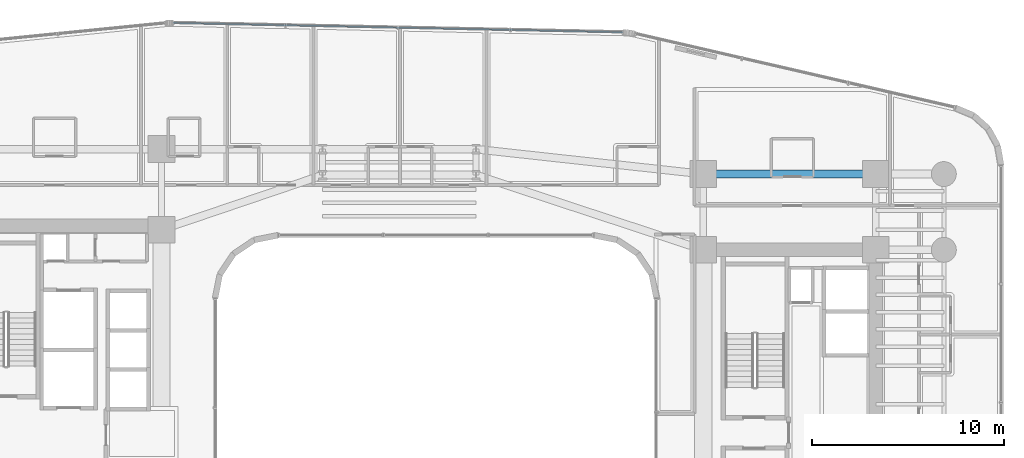
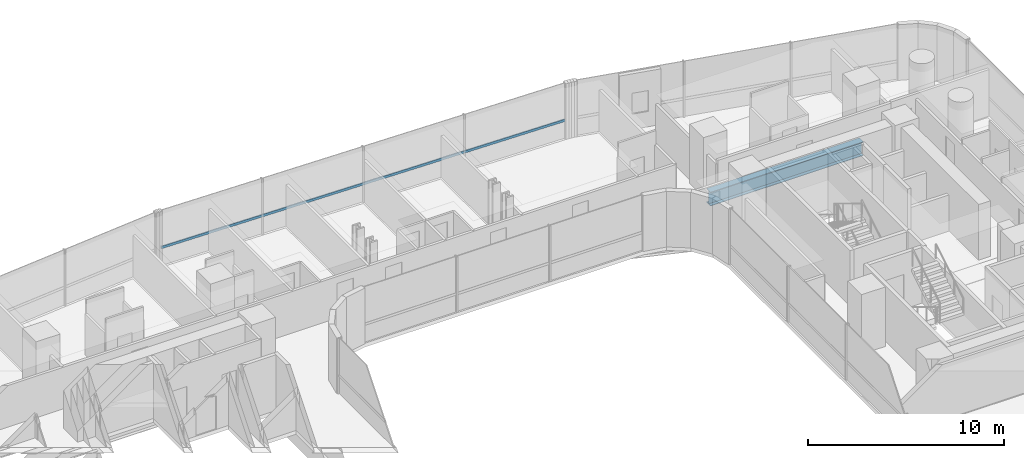
# One storey, part 23 of 42: 1 beam, 1 member, 1 element without a shape of its own.
"""IFC4 building model written with IfcOpenShell, lengths in metres."""

import ifcopenshell
import ifcopenshell.guid

model = None  # the IFC model being written
_history = None  # IfcOwnerHistory: only IFC2X3 demands one
_inside = {}  # id of a spatial element -> (the spatial element, [elements in it])
_under = {}  # id of a project, library or spatial element -> (it, [spatial elements below it])
_declared = {}  # id of a project -> (the project, [libraries it declares])
_typed = {}  # id of a type object -> (the type object, [elements of that type])
_made_of = {}  # id of a material, layer set ... -> (it, [elements and type objects made of it])


def new_model(schema):
    """Start an empty IFC model of exactly this schema.

    Asked for "IFC4X3", IfcOpenShell would pick the latest addendum, in which some entities
    have other attributes; the version numbers below select the first issue.
    IFC2X3 requires an IfcOwnerHistory on every rooted entity: one is made here for all.
    """
    global model, _history
    if schema == "IFC4X3":
        model = ifcopenshell.file(schema_version=(4, 3, 0, 0))
    else:
        model = ifcopenshell.file(schema=schema)
    _inside.clear()
    _under.clear()
    _declared.clear()
    _typed.clear()
    _made_of.clear()
    _history = None
    if model.schema == "IFC2X3":
        org = make("IfcOrganization", Name="unknown")
        user = make(
            "IfcPersonAndOrganization",
            ThePerson=make("IfcPerson", FamilyName="unknown"),
            TheOrganization=org,
        )
        app = make(
            "IfcApplication",
            ApplicationDeveloper=org,
            Version="unknown",
            ApplicationFullName="unknown",
            ApplicationIdentifier="unknown",
        )
        _history = make(
            "IfcOwnerHistory",
            OwningUser=user,
            OwningApplication=app,
            ChangeAction="ADDED",
            CreationDate=0,
        )
    return model


def make(cls, **values):
    """One entity of the class cls with the attributes given. An attribute that is None is left unset."""
    return model.create_entity(
        cls, **{name: value for name, value in values.items() if value is not None}
    )


def rooted(cls, **values):
    """An entity with a GlobalId (a new one), such as an element, a storey or a relation."""
    return make(cls, GlobalId=ifcopenshell.guid.new(), OwnerHistory=_history, **values)


def si_unit(unit_type, name, prefix=None):
    """IfcSIUnit, for example si_unit("LENGTHUNIT", "METRE", prefix="MILLI")."""
    return make("IfcSIUnit", UnitType=unit_type, Prefix=prefix, Name=name)


def assignment(units):
    """IfcUnitAssignment: the units of a project."""
    return None if units is None else make("IfcUnitAssignment", Units=units)


def point(xyz):
    """IfcCartesianPoint."""
    return None if xyz is None else make("IfcCartesianPoint", Coordinates=xyz)


def direction(xyz):
    """IfcDirection."""
    return None if xyz is None else make("IfcDirection", DirectionRatios=xyz)


def frame(location, z_axis=None, x_axis=None):
    """IfcAxis2Placement3D, a coordinate frame: its origin and axes. An axis left out is left unset."""
    return make(
        "IfcAxis2Placement3D",
        Location=point(location),
        Axis=direction(z_axis),
        RefDirection=direction(x_axis),
    )


def frame_2d(location, x_axis=None):
    """IfcAxis2Placement2D, a coordinate frame in the plane: its origin and x axis."""
    return make(
        "IfcAxis2Placement2D", Location=point(location), RefDirection=direction(x_axis)
    )


def origin():
    """The frame at (0, 0, 0) with its axes left unset."""
    return frame((0.0, 0.0, 0.0))


def origin_2d():
    """The frame at (0, 0) in the plane with its x axis left unset."""
    return frame_2d((0.0, 0.0))


def place(relative_to, where):
    """IfcLocalPlacement: puts the frame where relative to a parent placement (None: the world)."""
    return make(
        "IfcLocalPlacement", PlacementRelTo=relative_to, RelativePlacement=where
    )


def context(
    kind, dimensions, precision=None, world=None, true_north=None, identifier=None
):
    """IfcGeometricRepresentationContext, for example the 3D "Model" context."""
    return make(
        "IfcGeometricRepresentationContext",
        ContextIdentifier=identifier,
        ContextType=kind,
        CoordinateSpaceDimension=dimensions,
        Precision=precision,
        WorldCoordinateSystem=world,
        TrueNorth=true_north,
    )


def subcontext(parent, identifier, kind, view, scale=None):
    """IfcGeometricRepresentationSubContext, for example "Body" below "Model"."""
    return make(
        "IfcGeometricRepresentationSubContext",
        ContextIdentifier=identifier,
        ContextType=kind,
        ParentContext=parent,
        TargetScale=scale,
        TargetView=view,
    )


def project(units=None, contexts=None):
    """IfcProject with its units and contexts."""
    return rooted(
        "IfcProject",
        Name="project",
        RepresentationContexts=contexts,
        UnitsInContext=assignment(units),
    )


def spatial(cls, under=None, at=None, **own):
    """A site, building, storey or space (cls), placed at a placement, below another one or the project."""
    s = rooted(cls, ObjectPlacement=at, **own)
    if under is not None:
        _under.setdefault(under.id(), (under, []))[1].append(s)
    return s


def profile(cls, at=None, kind="AREA", **sizes):
    """A parametric profile (cls). Its sizes go by their IFC names, for example OverallWidth=200.0."""
    return make(cls, ProfileType=kind, Position=at, **sizes)


def hollow_rectangle(**sizes):
    """IfcRectangleHollowProfileDef."""
    return profile("IfcRectangleHollowProfileDef", **sizes)


def i_section(**sizes):
    """IfcIShapeProfileDef."""
    return profile("IfcIShapeProfileDef", **sizes)


def extrude(swept, where, along, depth):
    """IfcExtrudedAreaSolid: the profile swept, set in the frame where, extruded along a direction by depth."""
    return make(
        "IfcExtrudedAreaSolid",
        SweptArea=swept,
        Position=where,
        ExtrudedDirection=direction(along),
        Depth=depth,
    )


def shape(context_of_items, identifier, shape_type, items):
    """IfcShapeRepresentation: the items that make up one representation, for example the "Body"."""
    return make(
        "IfcShapeRepresentation",
        ContextOfItems=context_of_items,
        RepresentationIdentifier=identifier,
        RepresentationType=shape_type,
        Items=items,
    )


def source(mapping_origin, context_of_items, identifier, shape_type, items):
    """IfcRepresentationMap: a shape defined once, which mapped items show again and again."""
    return make(
        "IfcRepresentationMap",
        MappingOrigin=mapping_origin,
        MappedRepresentation=shape(context_of_items, identifier, shape_type, items),
    )


def transform(
    local_origin,
    x_axis=None,
    y_axis=None,
    z_axis=None,
    scale=None,
    scale2=None,
    scale3=None,
    uniform=True,
):
    """IfcCartesianTransformationOperator3D, or its non-uniform kind. x_axis, y_axis, z_axis: its Axis1, 2, 3."""
    if uniform:
        return make(
            "IfcCartesianTransformationOperator3D",
            Axis1=direction(x_axis),
            Axis2=direction(y_axis),
            LocalOrigin=point(local_origin),
            Scale=scale,
            Axis3=direction(z_axis),
        )
    return make(
        "IfcCartesianTransformationOperator3DnonUniform",
        Axis1=direction(x_axis),
        Axis2=direction(y_axis),
        LocalOrigin=point(local_origin),
        Scale=scale,
        Axis3=direction(z_axis),
        Scale2=scale2,
        Scale3=scale3,
    )


def mapped(mapping_source, mapping_target):
    """IfcMappedItem: shows the shape of a source again, moved by a transform."""
    return make(
        "IfcMappedItem", MappingSource=mapping_source, MappingTarget=mapping_target
    )


def material(Name=None, Category=None):
    """IfcMaterial."""
    return make("IfcMaterial", Name=Name, Category=Category)


def material_profile(
    of_material, cross_section, Name=None, Category=None, Priority=None
):
    """IfcMaterialProfile: a cross section and its material."""
    return make(
        "IfcMaterialProfile",
        Name=Name,
        Material=of_material,
        Profile=cross_section,
        Priority=Priority,
        Category=Category,
    )


def profile_set(profiles, Name=None, composite=None):
    """IfcMaterialProfileSet."""
    return make(
        "IfcMaterialProfileSet",
        Name=Name,
        MaterialProfiles=profiles,
        CompositeProfile=composite,
    )


def made_of(thing, what):
    """Note that an element or type object is made of a material, layer set ...; save() writes the relation."""
    if what is not None:
        _made_of.setdefault(what.id(), (what, []))[1].append(thing)
    return thing


def type_object(cls, material=None, **own):
    """A type object (cls), such as IfcWallType, which elements share."""
    return made_of(rooted(cls, **own), material)


def element(
    cls,
    number,
    at=None,
    inside=None,
    cuts=None,
    type_object=None,
    material=None,
    context=None,
    identifier="Body",
    shape_type=None,
    held_by="IfcProductDefinitionShape",
    body=None,
    shapes=None,
    **own,
):
    """One element of the class cls, such as IfcWall. Its Tag is "e" and its number.

    at: its placement. inside: the storey or other place that contains it. cuts: it is an
    opening in that element (IfcRelVoidsElement). A single representation is given by context,
    identifier, shape_type and body (its items); several are given by shapes. held_by: the class
    of the entity that holds the representations. save() writes the other relations.
    """
    e = rooted(cls, Tag="e%d" % number, ObjectPlacement=at, **own)
    if body is not None:
        shapes = [shape(context, identifier, shape_type, body)]
    if shapes is not None:
        e.Representation = make(held_by, Representations=shapes)
    if inside is not None:
        _inside.setdefault(inside.id(), (inside, []))[1].append(e)
    if cuts is not None:
        rooted(
            "IfcRelVoidsElement", RelatingBuildingElement=cuts, RelatedOpeningElement=e
        )
    if type_object is not None:
        _typed.setdefault(type_object.id(), (type_object, []))[1].append(e)
    return made_of(e, material)


def aggregate(whole, parts):
    """IfcRelAggregates: a whole, such as a stair, and the parts it consists of."""
    return rooted("IfcRelAggregates", RelatingObject=whole, RelatedObjects=parts)


def save(model, path):
    """Write the relations noted so far, then the file.

    IfcRelAggregates (storeys below a building ...), IfcRelContainedInSpatialStructure (elements
    in a storey), IfcRelDefinesByType, IfcRelAssociatesMaterial and IfcRelDeclares: one each for
    every whole, place, type object, material and project.
    """
    for whole, parts in _under.values():
        aggregate(whole, parts)
    for where, things in _inside.values():
        rooted(
            "IfcRelContainedInSpatialStructure",
            RelatedElements=things,
            RelatingStructure=where,
        )
    for kind, things in _typed.values():
        rooted("IfcRelDefinesByType", RelatedObjects=things, RelatingType=kind)
    for what, things in _made_of.values():
        rooted("IfcRelAssociatesMaterial", RelatedObjects=things, RelatingMaterial=what)
    for by, libraries in _declared.values():
        rooted("IfcRelDeclares", RelatingContext=by, RelatedDefinitions=libraries)
    model.write(path)


model = new_model("IFC4")

# Units and contexts
model_context = context("Model", 3, precision=1e-05, world=origin(), true_north=direction((0.0, 1.0)))
body_context = subcontext(model_context, "Body", "Model", "MODEL_VIEW")
ifc_project = project(units=[si_unit("LENGTHUNIT", "METRE"), si_unit("AREAUNIT", "SQUARE_METRE"), si_unit("VOLUMEUNIT", "CUBIC_METRE"), si_unit("PLANEANGLEUNIT", "RADIAN"), si_unit("MASSUNIT", "GRAM", prefix="KILO")], contexts=[model_context])

# Site, building, storey
site_placement = place(None, origin())
site = spatial("IfcSite", under=ifc_project, at=site_placement, CompositionType="ELEMENT")
building_placement = place(site_placement, origin())
building = spatial("IfcBuilding", under=site, at=building_placement, Name="Valdorenza Pilgrim Sanctuary Tower", CompositionType="ELEMENT")
storey_placement = place(building_placement, frame((0.0, 0.0, 29.699951171875)))
storey = spatial("IfcBuildingStorey", under=building, at=storey_placement, Name="L06", CompositionType="ELEMENT", Elevation=29.699951171875)

# Beam
ifc_material_1 = material(Name="Steel ASTM A992 Grade 50", Category="steel")
ifc_material_profile_1 = material_profile(ifc_material_1, i_section(OverallWidth=0.39990234375, OverallDepth=0.862060546875, WebThickness=0.019775390625, FlangeThickness=0.032470703125, at=origin_2d()), Name="W33X221")
ifc_profile_set_1 = profile_set([ifc_material_profile_1], Name="Steel ASTM A992 Grade 50")
beam_type = type_object("IfcBeamType", Name="STR-BM-GRD-W33", PredefinedType="BEAM", material=ifc_profile_set_1)
shared_shape_1 = source(origin(), body_context, "Body", "SweptSolid", [
    extrude(i_section(OverallWidth=0.39990234375, OverallDepth=0.862060546875, WebThickness=0.019775390625, FlangeThickness=0.032470703125, at=origin_2d()), origin(), (0.0, 0.0, 1.0), 9.0),
])
beam_placement = place(storey_placement, frame((15.85009765625, 13.5, -0.6708984375), z_axis=(1.0, 0.0, 0.0), x_axis=(0.0, 1.0, 0.0)))
element("IfcBeam", 1, at=beam_placement, inside=storey, type_object=beam_type, Name="L06 Floor Girder CB-XC-N2", PredefinedType="BEAM", context=body_context, shape_type="MappedRepresentation", body=[
    mapped(shared_shape_1, transform((0.0, 0.0, 0.0), x_axis=(1.0, 0.0, 0.0), y_axis=(0.0, 1.0, 0.0), z_axis=(0.0, 0.0, 1.0), scale=1.0)),
])

# Curtain wall, member
ifc_material_2 = material(Name="Curtain-wall IGU glazing", Category="glass")
curtain_wall_type = type_object("IfcCurtainWallType", Name="CW-SYS-02", PredefinedType="NOTDEFINED", material=ifc_material_2)
curtain_wall_placement = place(storey_placement, origin())
curtain_wall = element("IfcCurtainWall", 2, at=curtain_wall_placement, inside=storey, type_object=curtain_wall_type, Name="L06 Curtain Wall CW-L06-1-11", PredefinedType="NOTDEFINED")
ifc_material_3 = material(Name="Anodised aluminium AW-6060", Category="aluminium")
ifc_material_profile_2 = material_profile(ifc_material_3, hollow_rectangle(XDim=0.074951171875, YDim=0.14990234375, WallThickness=0.00390625, at=origin_2d()), Name="ALU-T 150x75x4")
ifc_profile_set_2 = profile_set([ifc_material_profile_2], Name="Anodised aluminium AW-6060")
member_type = type_object("IfcMemberType", Name="CW-TRN-02", PredefinedType="USERDEFINED", material=ifc_profile_set_2)
shared_shape_2 = source(origin(), body_context, "Body", "SweptSolid", [
    extrude(hollow_rectangle(XDim=0.074951171875, YDim=0.14990234375, WallThickness=0.00390625, at=origin_2d()), origin(), (0.0, 0.0, 1.0), 23.479248046875),
])
member_placement = place(storey_placement, frame((-11.808349609375, 21.385986328125, 1.1201171875), z_axis=(0.999783083794, -0.020827514476, 0.0), x_axis=(0.020827514476, 0.999783083794, 0.0)))
member = element("IfcMember", 3, at=member_placement, type_object=member_type, Name="CW-L06-1-11 Transom 1", ObjectType="TRANSOM", PredefinedType="USERDEFINED", context=body_context, shape_type="MappedRepresentation", body=[
    mapped(shared_shape_2, transform((0.0, 0.0, 0.0), x_axis=(1.0, 0.0, 0.0), y_axis=(0.0, 1.0, 0.0), z_axis=(0.0, 0.0, 1.0), scale=1.0)),
])
aggregate(curtain_wall, [member])

save(model, "model.ifc")
